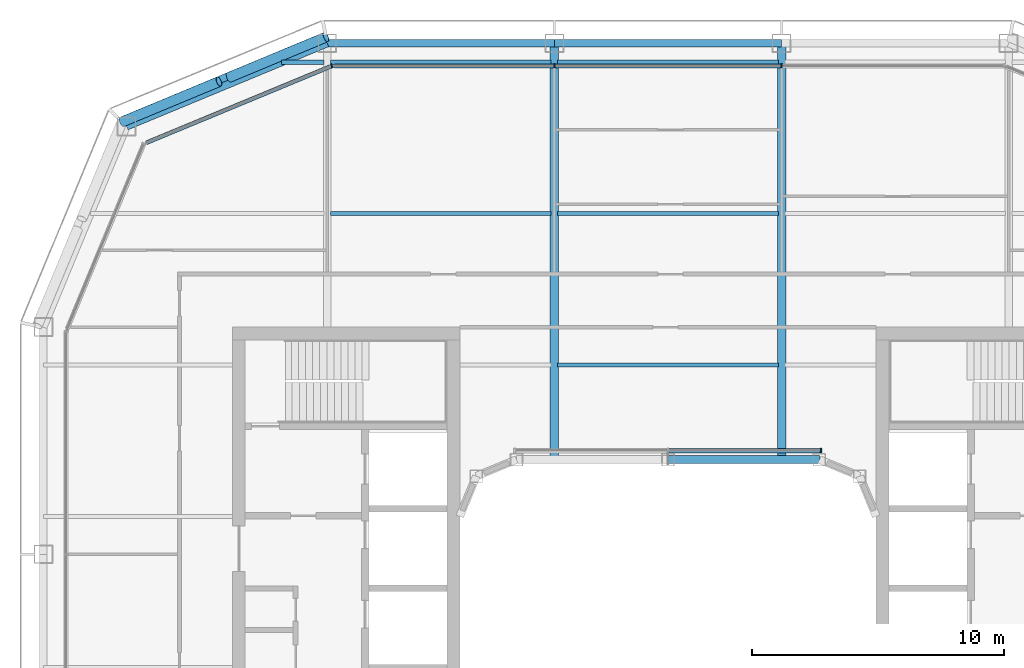
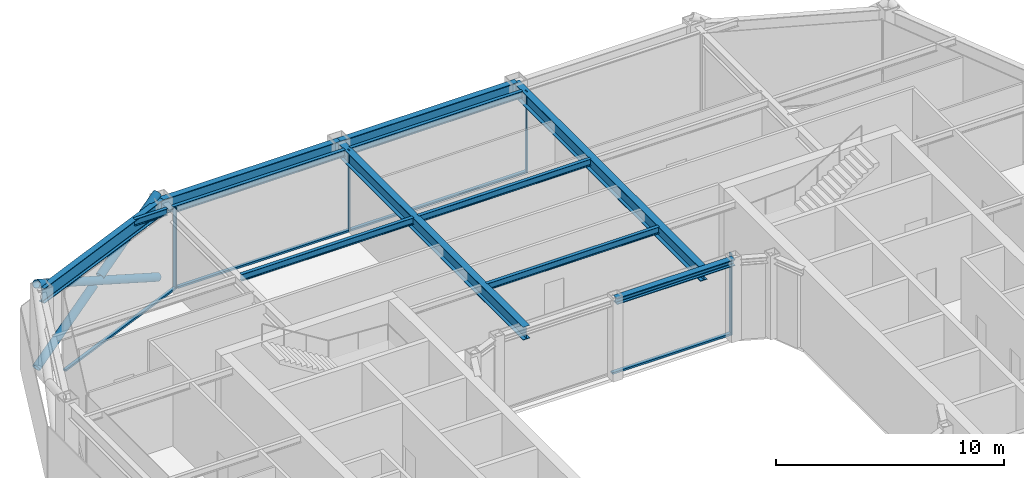
# One storey, part 7 of 21: 12 beams, 11 members, 3 elements without a shape of their own.
"""IFC4 building model written with IfcOpenShell, lengths in metres."""

from ifc_helpers import new_model, si_unit, direction, frame, origin, origin_2d, place, context, subcontext, project, spatial, rectangle, hollow_circle, i_section, extrude, material, layer, layer_set, material_profile, profile_set, type_object, element, aggregate, save


model = new_model("IFC4")

# Units and contexts
model_context = context("Model", 3, precision=1e-05, world=origin(), true_north=direction((0.0, 1.0)))
body_context = subcontext(model_context, "Body", "Model", "MODEL_VIEW")
ifc_project = project(units=[si_unit("LENGTHUNIT", "METRE"), si_unit("AREAUNIT", "SQUARE_METRE"), si_unit("VOLUMEUNIT", "CUBIC_METRE"), si_unit("PLANEANGLEUNIT", "RADIAN"), si_unit("MASSUNIT", "GRAM", prefix="KILO")], contexts=[model_context])

# Site, building, storey
site_placement = place(None, origin())
site = spatial("IfcSite", under=ifc_project, at=site_placement, CompositionType="ELEMENT")
building_placement = place(site_placement, origin())
building = spatial("IfcBuilding", under=site, at=building_placement, Name="Siwar Civic Tower", CompositionType="ELEMENT")
storey_placement = place(building_placement, frame((0.0, 0.0, 303.199951171875)))
storey = spatial("IfcBuildingStorey", under=building, at=storey_placement, Name="L65", CompositionType="ELEMENT", Elevation=303.199951171875)

# Curtain wall, members
ifc_material_1 = material(Name="Aluminium and glass", Category="aluminium")
ifc_layer_1 = layer(ifc_material_1, 0.159912109375)
ifc_layer_set_1 = layer_set([ifc_layer_1], Name="Aluminium and glass")
curtain_wall_type_1 = type_object("IfcCurtainWallType", Name="ENV-CW-D", PredefinedType="NOTDEFINED", material=ifc_layer_set_1)
curtain_wall_1_placement = place(storey_placement, origin())
curtain_wall_1 = element("IfcCurtainWall", 1, at=curtain_wall_1_placement, inside=storey, type_object=curtain_wall_type_1, Name="Curtain wall D N", PredefinedType="NOTDEFINED")
ifc_material_2 = material(Name="Aluminium 6063-T6", Category="aluminium")
ifc_material_profile_1 = material_profile(ifc_material_2, rectangle(XDim=0.159912109375, YDim=0.06005859375, at=origin_2d()), Name="AL 160x60")
ifc_profile_set_1 = profile_set([ifc_material_profile_1], Name="Aluminium 6063-T6")
member_type_1 = type_object("IfcMemberType", Name="ENV-MULLION-D", PredefinedType="MULLION", material=ifc_profile_set_1)
member_1_placement = place(storey_placement, frame((4.5, 23.85009765625, 0.0), z_axis=(0.0, 0.0, 1.0), x_axis=(0.0, -1.0, 0.0)))
member_1 = element("IfcMember", 2, at=member_1_placement, type_object=member_type_1, Name="Mullion D N 2", PredefinedType="MULLION", context=body_context, shape_type="SweptSolid", body=[
    extrude(rectangle(XDim=0.159912109375, YDim=0.06005859375, at=origin_2d()), origin(), (0.0, 0.0, 1.0), 4.35009765625),
])
member_2_placement = place(storey_placement, frame((-4.5, 23.85009765625, 0.0), z_axis=(0.0, 0.0, 1.0), x_axis=(0.0, -1.0, 0.0)))
member_2 = element("IfcMember", 3, at=member_2_placement, type_object=member_type_1, Name="Mullion D N 3", PredefinedType="MULLION", context=body_context, shape_type="SweptSolid", body=[
    extrude(rectangle(XDim=0.159912109375, YDim=0.06005859375, at=origin_2d()), origin(), (0.0, 0.0, 1.0), 4.35009765625),
])

# Curtain wall, member
ifc_material_3 = material(Name="Aluminium clad insulated panel", Category="aluminium")
ifc_layer_2 = layer(ifc_material_3, 0.159912109375)
ifc_layer_set_2 = layer_set([ifc_layer_2], Name="Aluminium clad insulated panel")
curtain_wall_type_2 = type_object("IfcCurtainWallType", Name="ENV-CW-DX", PredefinedType="NOTDEFINED", material=ifc_layer_set_2)
curtain_wall_2_placement = place(storey_placement, origin())
curtain_wall_2 = element("IfcCurtainWall", 4, at=curtain_wall_2_placement, inside=storey, type_object=curtain_wall_type_2, Name="Curtain wall D NW1", PredefinedType="NOTDEFINED")
member_3_placement = place(storey_placement, frame((-13.321044921875, 23.85009765625, 0.0), z_axis=(0.0, 0.0, 1.0), x_axis=(0.382683432365, -0.923879532511, 0.0)))
member_3 = element("IfcMember", 5, at=member_3_placement, type_object=member_type_1, Name="Mullion D NW1 1", PredefinedType="MULLION", context=body_context, shape_type="SweptSolid", body=[
    extrude(rectangle(XDim=0.159912109375, YDim=0.06005859375, at=origin_2d()), origin(), (0.0, 0.0, 1.0), 4.35009765625),
])

ifc_material_4 = material(Name="Aluminium and glass", Category="aluminium")
ifc_layer_3 = layer(ifc_material_4, 0.179931640625)
ifc_layer_set_3 = layer_set([ifc_layer_3], Name="Aluminium and glass")
curtain_wall_type_3 = type_object("IfcCurtainWallType", Name="ENV-CW-W", PredefinedType="NOTDEFINED", material=ifc_layer_set_3)
curtain_wall_3_placement = place(storey_placement, origin())
curtain_wall_3 = element("IfcCurtainWall", 6, at=curtain_wall_3_placement, inside=storey, type_object=curtain_wall_type_3, Name="Curtain wall W WN", PredefinedType="NOTDEFINED")
ifc_material_5 = material(Name="Aluminium 6063-T6", Category="aluminium")
ifc_material_profile_2 = material_profile(ifc_material_5, rectangle(XDim=0.179931640625, YDim=0.06005859375, at=origin_2d()), Name="AL 180x60")
ifc_profile_set_2 = profile_set([ifc_material_profile_2], Name="Aluminium 6063-T6")
member_type_2 = type_object("IfcMemberType", Name="ENV-MULLION-W", PredefinedType="MULLION", material=ifc_profile_set_2)
member_4_placement = place(storey_placement, frame((6.071533203125, 8.610107421875, 0.0), z_axis=(0.0, 0.0, 1.0), x_axis=(0.0, -1.0, 0.0)))
member_4 = element("IfcMember", 7, at=member_4_placement, type_object=member_type_2, Name="Mullion W WN 1", PredefinedType="MULLION", context=body_context, shape_type="SweptSolid", body=[
    extrude(rectangle(XDim=0.179931640625, YDim=0.06005859375, at=origin_2d()), origin(), (0.0, 0.0, 1.0), 4.35009765625),
])

# Member
ifc_material_6 = material(Name="Aluminium 6063-T6", Category="aluminium")
ifc_material_profile_3 = material_profile(ifc_material_6, rectangle(XDim=0.159912109375, YDim=0.10009765625, at=origin_2d()), Name="AL 160x100")
ifc_profile_set_3 = profile_set([ifc_material_profile_3], Name="Aluminium 6063-T6")
member_type_3 = type_object("IfcMemberType", Name="ENV-TRANSOM-D", PredefinedType="USERDEFINED", material=ifc_profile_set_3)
member_5_placement = place(storey_placement, frame((4.469970703125, 23.85009765625, 0.050048828125), z_axis=(-1.0, 0.0, 0.0), x_axis=(0.0, -1.0, 0.0)))
member_5 = element("IfcMember", 8, at=member_5_placement, type_object=member_type_3, Name="Transom D N 2", ObjectType="TRANSOM", PredefinedType="USERDEFINED", context=body_context, shape_type="SweptSolid", body=[
    extrude(rectangle(XDim=0.159912109375, YDim=0.10009765625, at=origin_2d()), origin(), (0.0, 0.0, 1.0), 8.93994140625),
])

member_6_placement = place(storey_placement, frame((-4.530029296875, 23.85009765625, 0.050048828125), z_axis=(-1.0, 0.0, 0.0), x_axis=(0.0, -1.0, 0.0)))
member_6 = element("IfcMember", 9, at=member_6_placement, type_object=member_type_3, Name="Transom D N 3", ObjectType="TRANSOM", PredefinedType="USERDEFINED", context=body_context, shape_type="SweptSolid", body=[
    extrude(rectangle(XDim=0.159912109375, YDim=0.10009765625, at=origin_2d()), origin(), (0.0, 0.0, 1.0), 8.693115234375),
])

aggregate(curtain_wall_1, [member_1, member_2, member_5, member_6])

member_7_placement = place(storey_placement, frame((-13.3486328125, 23.838623046875, 0.050048828125), z_axis=(-0.923872756612, -0.382699790424, 0.0), x_axis=(0.382699790424, -0.923872756612, 0.0)))
member_7 = element("IfcMember", 10, at=member_7_placement, type_object=member_type_3, Name="Transom D NW1 1", ObjectType="TRANSOM", PredefinedType="USERDEFINED", context=body_context, shape_type="SweptSolid", body=[
    extrude(rectangle(XDim=0.159912109375, YDim=0.10009765625, at=origin_2d()), origin(), (0.0, 0.0, 1.0), 7.930908203125),
])

aggregate(curtain_wall_2, [member_3, member_7])

ifc_material_7 = material(Name="Aluminium 6063-T6", Category="aluminium")
ifc_material_profile_4 = material_profile(ifc_material_7, rectangle(XDim=0.179931640625, YDim=0.10009765625, at=origin_2d()), Name="AL 180x100")
ifc_profile_set_4 = profile_set([ifc_material_profile_4], Name="Aluminium 6063-T6")
member_type_4 = type_object("IfcMemberType", Name="ENV-TRANSOM-W", PredefinedType="USERDEFINED", material=ifc_profile_set_4)
member_8_placement = place(storey_placement, frame((6.04150390625, 8.610107421875, 0.050048828125), z_axis=(-1.0, 0.0, 0.0), x_axis=(0.0, -1.0, 0.0)))
member_8 = element("IfcMember", 11, at=member_8_placement, type_object=member_type_4, Name="Transom W WN 1", ObjectType="TRANSOM", PredefinedType="USERDEFINED", context=body_context, shape_type="SweptSolid", body=[
    extrude(rectangle(XDim=0.179931640625, YDim=0.10009765625, at=origin_2d()), origin(), (0.0, 0.0, 1.0), 6.011474609375),
])

aggregate(curtain_wall_3, [member_4, member_8])

# Members
ifc_material_8 = material(Name="Steel S355", Category="steel")
ifc_material_profile_5 = material_profile(ifc_material_8, hollow_circle(Radius=0.203125, WallThickness=0.01611328125, at=origin_2d()), Name="CHS406.4x16")
ifc_profile_set_5 = profile_set([ifc_material_profile_5], Name="Steel S355")
member_type_5 = type_object("IfcMemberType", Name="STR-BR-CHS406.4x16", PredefinedType="BRACE", material=ifc_profile_set_5)
member_9_placement = place(storey_placement, frame((-13.548828125, 24.9951171875, 0.0), z_axis=(-0.821142553604, -0.341671493852, 0.457149315816), x_axis=(0.384163874976, -0.923264922524, 0.0)))
element("IfcMember", 12, at=member_9_placement, inside=storey, type_object=member_type_5, Name="L65/brc/DNW1-4-0-0", PredefinedType="BRACE", context=body_context, shape_type="SweptSolid", body=[
    extrude(hollow_circle(Radius=0.203125, WallThickness=0.01611328125, at=origin_2d()), origin(), (0.0, 0.0, 1.0), 9.843505859375),
])
member_10_placement = place(storey_placement, frame((-21.6318359375, 21.6318359375, 0.0), z_axis=(0.821147096886, 0.341644380467, 0.457161418507), x_axis=(-0.38413607648, 0.923276488787, 0.0)))
element("IfcMember", 13, at=member_10_placement, inside=storey, type_object=member_type_5, Name="L65/brc/DNW1-4-0-4", PredefinedType="BRACE", context=body_context, shape_type="SweptSolid", body=[
    extrude(hollow_circle(Radius=0.203125, WallThickness=0.01611328125, at=origin_2d()), origin(), (0.0, 0.0, 1.0), 4.677001953125),
])
member_11_placement = place(storey_placement, frame((-17.38916015625, 23.397216796875, 2.362060546875), z_axis=(0.821149689876, 0.341667178655, 0.457139722456), x_axis=(-0.384156893273, 0.923267827529, 0.0)))
element("IfcMember", 14, at=member_11_placement, inside=storey, type_object=member_type_5, Name="L65/brc/DNW1-4-0-5", PredefinedType="BRACE", context=body_context, shape_type="SweptSolid", body=[
    extrude(hollow_circle(Radius=0.203125, WallThickness=0.01611328125, at=origin_2d()), origin(), (0.0, 0.0, 1.0), 4.6767578125),
])

# Beams
ifc_material_9 = material(Name="Steel S355", Category="steel")
ifc_material_profile_6 = material_profile(ifc_material_9, i_section(OverallWidth=0.169921875, OverallDepth=0.360107421875, WebThickness=0.008056640625, FlangeThickness=0.0126953125, FilletRadius=0.01806640625, at=origin_2d()), Name="IPE360")
ifc_profile_set_6 = profile_set([ifc_material_profile_6], Name="Steel S355")
beam_type_1 = type_object("IfcBeamType", Name="STR-FB-IPE360", PredefinedType="JOIST", material=ifc_profile_set_6)
for number, where, z_axis, x_axis, name in (
    (15, (-4.3701171875, 12.0, 4.170166015625), (1.0, 0.0, 0.0), (0.0, 1.0, 0.0), "L65/bm/F024"),
    (16, (-13.3701171875, 18.0, 4.170166015625), (1.0, 0.0, 0.0), (0.0, 1.0, 0.0), "L65/bm/F028"),
    (17, (-4.3701171875, 18.0, 4.170166015625), (1.0, 0.0, 0.0), (0.0, 1.0, 0.0), "L65/bm/F029"),
):
    element("IfcBeam", number, at=place(storey_placement, frame(where, z_axis=z_axis, x_axis=x_axis)), inside=storey, type_object=beam_type_1, Name=name, PredefinedType="JOIST", context=body_context, shape_type="SweptSolid", body=[
        extrude(i_section(OverallWidth=0.169921875, OverallDepth=0.360107421875, WebThickness=0.008056640625, FlangeThickness=0.0126953125, FilletRadius=0.01806640625, at=origin_2d()), origin(), (0.0, 0.0, 1.0), 8.740234375),
    ])
beam_1_placement = place(storey_placement, frame((-15.310546875, 24.0, 4.170166015625), z_axis=(1.0, 0.0, 0.0), x_axis=(0.0, 1.0, 0.0)))
element("IfcBeam", 18, at=beam_1_placement, inside=storey, type_object=beam_type_1, Name="L65/bm/F032", PredefinedType="JOIST", context=body_context, shape_type="SweptSolid", body=[
    extrude(i_section(OverallWidth=0.169921875, OverallDepth=0.360107421875, WebThickness=0.008056640625, FlangeThickness=0.0126953125, FilletRadius=0.01806640625, at=origin_2d()), origin(), (0.0, 0.0, 1.0), 1.6806640625),
])
for number, where, z_axis, x_axis, name in (
    (19, (-13.3701171875, 24.0, 4.170166015625), (1.0, 0.0, 0.0), (0.0, 1.0, 0.0), "L65/bm/F033"),
    (20, (-4.3701171875, 24.0, 4.170166015625), (1.0, 0.0, 0.0), (0.0, 1.0, 0.0), "L65/bm/F034"),
):
    element("IfcBeam", number, at=place(storey_placement, frame(where, z_axis=z_axis, x_axis=x_axis)), inside=storey, type_object=beam_type_1, Name=name, PredefinedType="JOIST", context=body_context, shape_type="SweptSolid", body=[
        extrude(i_section(OverallWidth=0.169921875, OverallDepth=0.360107421875, WebThickness=0.008056640625, FlangeThickness=0.0126953125, FilletRadius=0.01806640625, at=origin_2d()), origin(), (0.0, 0.0, 1.0), 8.740234375),
    ])
ifc_material_10 = material(Name="Steel S355", Category="steel")
ifc_material_profile_7 = material_profile(ifc_material_10, i_section(OverallWidth=0.340087890625, OverallDepth=0.699951171875, WebThickness=0.013916015625, FlangeThickness=0.030029296875, at=origin_2d()), Name="PG700x340x14x30")
ifc_profile_set_7 = profile_set([ifc_material_profile_7], Name="Steel S355")
beam_type_2 = type_object("IfcBeamType", Name="STR-PG-PG700x340x14x30", PredefinedType="BEAM", material=ifc_profile_set_7)
for number, where, z_axis, x_axis, name in (
    (21, (-4.5, 8.25, 4.0), (0.0, 1.0, 0.0), (-1.0, 0.0, 0.0), "L65/bm/G04"),
    (22, (4.5, 8.25, 4.0), (0.0, 1.0, 0.0), (-1.0, 0.0, 0.0), "L65/bm/G06"),
):
    element("IfcBeam", number, at=place(storey_placement, frame(where, z_axis=z_axis, x_axis=x_axis)), inside=storey, type_object=beam_type_2, Name=name, PredefinedType="BEAM", context=body_context, shape_type="SweptSolid", body=[
        extrude(i_section(OverallWidth=0.340087890625, OverallDepth=0.699951171875, WebThickness=0.013916015625, FlangeThickness=0.030029296875, at=origin_2d()), origin(), (0.0, 0.0, 1.0), 16.5),
    ])
ifc_material_11 = material(Name="Steel S355", Category="steel")
ifc_material_profile_8 = material_profile(ifc_material_11, i_section(OverallWidth=0.31005859375, OverallDepth=0.340087890625, WebThickness=0.02099609375, FlangeThickness=0.0390625, FilletRadius=0.027099609375, at=origin_2d()), Name="HEM300")
ifc_profile_set_8 = profile_set([ifc_material_profile_8], Name="Steel S355")
beam_type_3 = type_object("IfcBeamType", Name="STR-RB-HEM300", PredefinedType="BEAM", material=ifc_profile_set_8)
beam_2_placement = place(storey_placement, frame((0.0, 8.25, 4.179931640625), z_axis=(1.0, 0.0, 0.0), x_axis=(0.0, 1.0, 0.0)))
element("IfcBeam", 23, at=beam_2_placement, inside=storey, type_object=beam_type_3, Name="L65/bm/RN2", PredefinedType="BEAM", context=body_context, shape_type="SweptSolid", body=[
    extrude(i_section(OverallWidth=0.31005859375, OverallDepth=0.340087890625, WebThickness=0.02099609375, FlangeThickness=0.0390625, FilletRadius=0.027099609375, at=origin_2d()), origin(), (0.0, 0.0, 1.0), 6.0),
])
ifc_material_12 = material(Name="Steel S355", Category="steel")
ifc_material_profile_9 = material_profile(ifc_material_12, i_section(OverallWidth=0.300048828125, OverallDepth=0.800048828125, WebThickness=0.017578125, FlangeThickness=0.032958984375, FilletRadius=0.030029296875, at=origin_2d()), Name="HEB800")
ifc_profile_set_9 = profile_set([ifc_material_profile_9], Name="Steel S355")
beam_type_4 = type_object("IfcBeamType", Name="STR-SB-HEB800", PredefinedType="BEAM", material=ifc_profile_set_9)
for number, where, z_axis, x_axis, name in (
    (24, (4.5, 24.75, 3.949951171875), (-1.0, 0.0, 0.0), (0.0, -1.0, 0.0), "L65/bm/SN-1"),
    (25, (-4.5, 24.75, 3.949951171875), (-1.0, 0.0, 0.0), (0.0, -1.0, 0.0), "L65/bm/SN-2"),
):
    element("IfcBeam", number, at=place(storey_placement, frame(where, z_axis=z_axis, x_axis=x_axis)), inside=storey, type_object=beam_type_4, Name=name, PredefinedType="BEAM", context=body_context, shape_type="SweptSolid", body=[
        extrude(i_section(OverallWidth=0.300048828125, OverallDepth=0.800048828125, WebThickness=0.017578125, FlangeThickness=0.032958984375, FilletRadius=0.030029296875, at=origin_2d()), origin(), (0.0, 0.0, 1.0), 9.0),
    ])
beam_3_placement = place(storey_placement, frame((-13.5, 24.75, 3.949951171875), z_axis=(-0.923872720536, -0.382699877515, 0.0), x_axis=(0.382699877515, -0.923872720536, 0.0)))
element("IfcBeam", 26, at=beam_3_placement, inside=storey, type_object=beam_type_4, Name="L65/bm/SNW1-0", PredefinedType="BEAM", context=body_context, shape_type="SweptSolid", body=[
    extrude(i_section(OverallWidth=0.300048828125, OverallDepth=0.800048828125, WebThickness=0.017578125, FlangeThickness=0.032958984375, FilletRadius=0.030029296875, at=origin_2d()), origin(), (0.0, 0.0, 1.0), 8.6103515625),
])

save(model, "model.ifc")
